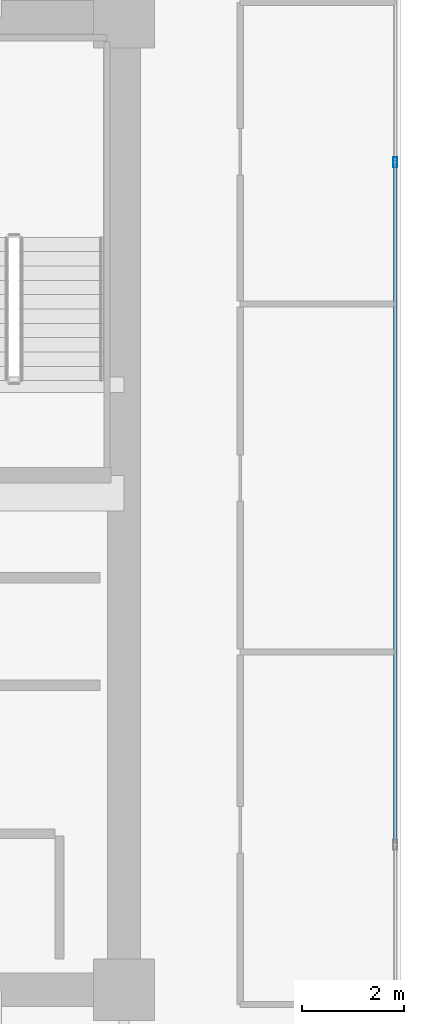
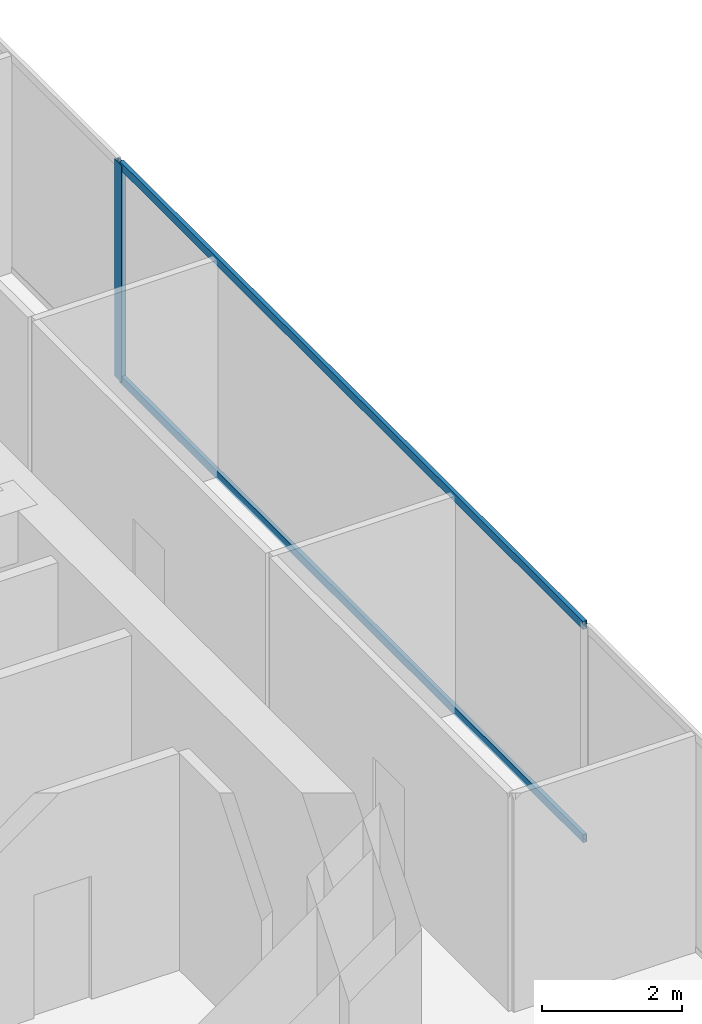
# One storey, part 22 of 31: 3 members, 1 element without a shape of its own.
"""IFC4 building model written with IfcOpenShell, lengths in metres."""

import ifcopenshell
import ifcopenshell.guid

model = None  # the IFC model being written
_history = None  # IfcOwnerHistory: only IFC2X3 demands one
_inside = {}  # id of a spatial element -> (the spatial element, [elements in it])
_under = {}  # id of a project, library or spatial element -> (it, [spatial elements below it])
_declared = {}  # id of a project -> (the project, [libraries it declares])
_typed = {}  # id of a type object -> (the type object, [elements of that type])
_made_of = {}  # id of a material, layer set ... -> (it, [elements and type objects made of it])


def new_model(schema):
    """Start an empty IFC model of exactly this schema.

    Asked for "IFC4X3", IfcOpenShell would pick the latest addendum, in which some entities
    have other attributes; the version numbers below select the first issue.
    IFC2X3 requires an IfcOwnerHistory on every rooted entity: one is made here for all.
    """
    global model, _history
    if schema == "IFC4X3":
        model = ifcopenshell.file(schema_version=(4, 3, 0, 0))
    else:
        model = ifcopenshell.file(schema=schema)
    _inside.clear()
    _under.clear()
    _declared.clear()
    _typed.clear()
    _made_of.clear()
    _history = None
    if model.schema == "IFC2X3":
        org = make("IfcOrganization", Name="unknown")
        user = make(
            "IfcPersonAndOrganization",
            ThePerson=make("IfcPerson", FamilyName="unknown"),
            TheOrganization=org,
        )
        app = make(
            "IfcApplication",
            ApplicationDeveloper=org,
            Version="unknown",
            ApplicationFullName="unknown",
            ApplicationIdentifier="unknown",
        )
        _history = make(
            "IfcOwnerHistory",
            OwningUser=user,
            OwningApplication=app,
            ChangeAction="ADDED",
            CreationDate=0,
        )
    return model


def make(cls, **values):
    """One entity of the class cls with the attributes given. An attribute that is None is left unset."""
    return model.create_entity(
        cls, **{name: value for name, value in values.items() if value is not None}
    )


def rooted(cls, **values):
    """An entity with a GlobalId (a new one), such as an element, a storey or a relation."""
    return make(cls, GlobalId=ifcopenshell.guid.new(), OwnerHistory=_history, **values)


def si_unit(unit_type, name, prefix=None):
    """IfcSIUnit, for example si_unit("LENGTHUNIT", "METRE", prefix="MILLI")."""
    return make("IfcSIUnit", UnitType=unit_type, Prefix=prefix, Name=name)


def assignment(units):
    """IfcUnitAssignment: the units of a project."""
    return None if units is None else make("IfcUnitAssignment", Units=units)


def point(xyz):
    """IfcCartesianPoint."""
    return None if xyz is None else make("IfcCartesianPoint", Coordinates=xyz)


def direction(xyz):
    """IfcDirection."""
    return None if xyz is None else make("IfcDirection", DirectionRatios=xyz)


def frame(location, z_axis=None, x_axis=None):
    """IfcAxis2Placement3D, a coordinate frame: its origin and axes. An axis left out is left unset."""
    return make(
        "IfcAxis2Placement3D",
        Location=point(location),
        Axis=direction(z_axis),
        RefDirection=direction(x_axis),
    )


def frame_2d(location, x_axis=None):
    """IfcAxis2Placement2D, a coordinate frame in the plane: its origin and x axis."""
    return make(
        "IfcAxis2Placement2D", Location=point(location), RefDirection=direction(x_axis)
    )


def origin():
    """The frame at (0, 0, 0) with its axes left unset."""
    return frame((0.0, 0.0, 0.0))


def origin_2d():
    """The frame at (0, 0) in the plane with its x axis left unset."""
    return frame_2d((0.0, 0.0))


def place(relative_to, where):
    """IfcLocalPlacement: puts the frame where relative to a parent placement (None: the world)."""
    return make(
        "IfcLocalPlacement", PlacementRelTo=relative_to, RelativePlacement=where
    )


def context(
    kind, dimensions, precision=None, world=None, true_north=None, identifier=None
):
    """IfcGeometricRepresentationContext, for example the 3D "Model" context."""
    return make(
        "IfcGeometricRepresentationContext",
        ContextIdentifier=identifier,
        ContextType=kind,
        CoordinateSpaceDimension=dimensions,
        Precision=precision,
        WorldCoordinateSystem=world,
        TrueNorth=true_north,
    )


def subcontext(parent, identifier, kind, view, scale=None):
    """IfcGeometricRepresentationSubContext, for example "Body" below "Model"."""
    return make(
        "IfcGeometricRepresentationSubContext",
        ContextIdentifier=identifier,
        ContextType=kind,
        ParentContext=parent,
        TargetScale=scale,
        TargetView=view,
    )


def project(units=None, contexts=None):
    """IfcProject with its units and contexts."""
    return rooted(
        "IfcProject",
        Name="project",
        RepresentationContexts=contexts,
        UnitsInContext=assignment(units),
    )


def spatial(cls, under=None, at=None, **own):
    """A site, building, storey or space (cls), placed at a placement, below another one or the project."""
    s = rooted(cls, ObjectPlacement=at, **own)
    if under is not None:
        _under.setdefault(under.id(), (under, []))[1].append(s)
    return s


def profile(cls, at=None, kind="AREA", **sizes):
    """A parametric profile (cls). Its sizes go by their IFC names, for example OverallWidth=200.0."""
    return make(cls, ProfileType=kind, Position=at, **sizes)


def hollow_rectangle(**sizes):
    """IfcRectangleHollowProfileDef."""
    return profile("IfcRectangleHollowProfileDef", **sizes)


def extrude(swept, where, along, depth):
    """IfcExtrudedAreaSolid: the profile swept, set in the frame where, extruded along a direction by depth."""
    return make(
        "IfcExtrudedAreaSolid",
        SweptArea=swept,
        Position=where,
        ExtrudedDirection=direction(along),
        Depth=depth,
    )


def shape(context_of_items, identifier, shape_type, items):
    """IfcShapeRepresentation: the items that make up one representation, for example the "Body"."""
    return make(
        "IfcShapeRepresentation",
        ContextOfItems=context_of_items,
        RepresentationIdentifier=identifier,
        RepresentationType=shape_type,
        Items=items,
    )


def source(mapping_origin, context_of_items, identifier, shape_type, items):
    """IfcRepresentationMap: a shape defined once, which mapped items show again and again."""
    return make(
        "IfcRepresentationMap",
        MappingOrigin=mapping_origin,
        MappedRepresentation=shape(context_of_items, identifier, shape_type, items),
    )


def transform(
    local_origin,
    x_axis=None,
    y_axis=None,
    z_axis=None,
    scale=None,
    scale2=None,
    scale3=None,
    uniform=True,
):
    """IfcCartesianTransformationOperator3D, or its non-uniform kind. x_axis, y_axis, z_axis: its Axis1, 2, 3."""
    if uniform:
        return make(
            "IfcCartesianTransformationOperator3D",
            Axis1=direction(x_axis),
            Axis2=direction(y_axis),
            LocalOrigin=point(local_origin),
            Scale=scale,
            Axis3=direction(z_axis),
        )
    return make(
        "IfcCartesianTransformationOperator3DnonUniform",
        Axis1=direction(x_axis),
        Axis2=direction(y_axis),
        LocalOrigin=point(local_origin),
        Scale=scale,
        Axis3=direction(z_axis),
        Scale2=scale2,
        Scale3=scale3,
    )


def mapped(mapping_source, mapping_target):
    """IfcMappedItem: shows the shape of a source again, moved by a transform."""
    return make(
        "IfcMappedItem", MappingSource=mapping_source, MappingTarget=mapping_target
    )


def material(Name=None, Category=None):
    """IfcMaterial."""
    return make("IfcMaterial", Name=Name, Category=Category)


def layer(
    of_material, thickness, ventilated=None, Name=None, Category=None, Priority=None
):
    """IfcMaterialLayer: one layer of a wall or slab, of a material (None: an air gap)."""
    return make(
        "IfcMaterialLayer",
        Material=of_material,
        LayerThickness=thickness,
        IsVentilated=ventilated,
        Name=Name,
        Category=Category,
        Priority=Priority,
    )


def layer_set(layers, Name=None):
    """IfcMaterialLayerSet."""
    return make("IfcMaterialLayerSet", MaterialLayers=layers, LayerSetName=Name)


def material_profile(
    of_material, cross_section, Name=None, Category=None, Priority=None
):
    """IfcMaterialProfile: a cross section and its material."""
    return make(
        "IfcMaterialProfile",
        Name=Name,
        Material=of_material,
        Profile=cross_section,
        Priority=Priority,
        Category=Category,
    )


def profile_set(profiles, Name=None, composite=None):
    """IfcMaterialProfileSet."""
    return make(
        "IfcMaterialProfileSet",
        Name=Name,
        MaterialProfiles=profiles,
        CompositeProfile=composite,
    )


def made_of(thing, what):
    """Note that an element or type object is made of a material, layer set ...; save() writes the relation."""
    if what is not None:
        _made_of.setdefault(what.id(), (what, []))[1].append(thing)
    return thing


def type_object(cls, material=None, **own):
    """A type object (cls), such as IfcWallType, which elements share."""
    return made_of(rooted(cls, **own), material)


def type_shapes(of_type, sources):
    """Give a type object the sources (RepresentationMaps) that its elements show as mapped items."""
    of_type.RepresentationMaps = sources


def element(
    cls,
    number,
    at=None,
    inside=None,
    cuts=None,
    type_object=None,
    material=None,
    context=None,
    identifier="Body",
    shape_type=None,
    held_by="IfcProductDefinitionShape",
    body=None,
    shapes=None,
    **own,
):
    """One element of the class cls, such as IfcWall. Its Tag is "e" and its number.

    at: its placement. inside: the storey or other place that contains it. cuts: it is an
    opening in that element (IfcRelVoidsElement). A single representation is given by context,
    identifier, shape_type and body (its items); several are given by shapes. held_by: the class
    of the entity that holds the representations. save() writes the other relations.
    """
    e = rooted(cls, Tag="e%d" % number, ObjectPlacement=at, **own)
    if body is not None:
        shapes = [shape(context, identifier, shape_type, body)]
    if shapes is not None:
        e.Representation = make(held_by, Representations=shapes)
    if inside is not None:
        _inside.setdefault(inside.id(), (inside, []))[1].append(e)
    if cuts is not None:
        rooted(
            "IfcRelVoidsElement", RelatingBuildingElement=cuts, RelatedOpeningElement=e
        )
    if type_object is not None:
        _typed.setdefault(type_object.id(), (type_object, []))[1].append(e)
    return made_of(e, material)


def aggregate(whole, parts):
    """IfcRelAggregates: a whole, such as a stair, and the parts it consists of."""
    return rooted("IfcRelAggregates", RelatingObject=whole, RelatedObjects=parts)


def save(model, path):
    """Write the relations noted so far, then the file.

    IfcRelAggregates (storeys below a building ...), IfcRelContainedInSpatialStructure (elements
    in a storey), IfcRelDefinesByType, IfcRelAssociatesMaterial and IfcRelDeclares: one each for
    every whole, place, type object, material and project.
    """
    for whole, parts in _under.values():
        aggregate(whole, parts)
    for where, things in _inside.values():
        rooted(
            "IfcRelContainedInSpatialStructure",
            RelatedElements=things,
            RelatingStructure=where,
        )
    for kind, things in _typed.values():
        rooted("IfcRelDefinesByType", RelatedObjects=things, RelatingType=kind)
    for what, things in _made_of.values():
        rooted("IfcRelAssociatesMaterial", RelatedObjects=things, RelatingMaterial=what)
    for by, libraries in _declared.values():
        rooted("IfcRelDeclares", RelatingContext=by, RelatedDefinitions=libraries)
    model.write(path)


model = new_model("IFC4")

# Units and contexts
model_context = context("Model", 3, precision=1e-05, world=origin(), true_north=direction((0.0, 1.0)))
body_context = subcontext(model_context, "Body", "Model", "MODEL_VIEW")
ifc_project = project(units=[si_unit("LENGTHUNIT", "METRE"), si_unit("AREAUNIT", "SQUARE_METRE"), si_unit("VOLUMEUNIT", "CUBIC_METRE"), si_unit("PLANEANGLEUNIT", "RADIAN"), si_unit("MASSUNIT", "GRAM", prefix="KILO")], contexts=[model_context])

# Site, building, storey
site_placement = place(None, origin())
site = spatial("IfcSite", under=ifc_project, at=site_placement, CompositionType="ELEMENT")
building_placement = place(site_placement, origin())
building = spatial("IfcBuilding", under=site, at=building_placement, Name="Haelvirn Gate Laboratories", CompositionType="ELEMENT")
storey_placement = place(building_placement, frame((0.0, 0.0, 150.199951171875)))
storey = spatial("IfcBuildingStorey", under=building, at=storey_placement, Name="L36", CompositionType="ELEMENT", Elevation=150.199951171875)

# Curtain wall, members
ifc_material_1 = material(Name="Anodised bronze unitised aluminium & triple low-E glass", Category="aluminium")
ifc_layer = layer(ifc_material_1, 0.179931640625, Name="CW-SYS-3")
ifc_layer_set = layer_set([ifc_layer], Name="Anodised bronze unitised aluminium & triple low-E glass")
curtain_wall_type = type_object("IfcCurtainWallType", Name="CW-SYS-3", PredefinedType="NOTDEFINED", material=ifc_layer_set)
curtain_wall_placement = place(storey_placement, origin())
curtain_wall = element("IfcCurtainWall", 1, at=curtain_wall_placement, inside=storey, type_object=curtain_wall_type, Name="L36 Unitised Curtain Wall CW-L36-P0-E07", PredefinedType="NOTDEFINED")
ifc_material_2 = material(Name="Extruded aluminium 6063-T6 (anodised bronze)", Category="aluminium")
ifc_material_profile_1 = material_profile(ifc_material_2, hollow_rectangle(XDim=0.06494140625, YDim=0.139892578125, WallThickness=0.00390625, at=origin_2d()), Name="CWT-140x65x4")
ifc_profile_set_1 = profile_set([ifc_material_profile_1], Name="Extruded aluminium 6063-T6 (anodised bronze)")
member_type_1 = type_object("IfcMemberType", Name="CWT-T140", PredefinedType="USERDEFINED", material=ifc_profile_set_1)
shared_shape_1 = source(origin(), body_context, "Body", "SweptSolid", [
    extrude(hollow_rectangle(XDim=0.06494140625, YDim=0.139892578125, WallThickness=0.00390625, at=origin_2d()), origin(), (0.0, 0.0, 1.0), 13.25830078125),
])
type_shapes(member_type_1, [shared_shape_1])
member_1_placement = place(storey_placement, frame((72.699951171875, 17.6708984375, 0.032470703125), z_axis=(0.0, 1.0, 0.0), x_axis=(-1.0, 0.0, 0.0)))
member_1 = element("IfcMember", 2, at=member_1_placement, type_object=member_type_1, Name="CW3 transom 2.1", ObjectType="TRANSOM", PredefinedType="USERDEFINED", context=body_context, shape_type="MappedRepresentation", body=[
    mapped(shared_shape_1, transform((0.0, 0.0, 0.0), scale=1.0)),
])
member_2_placement = place(storey_placement, frame((72.699951171875, 17.6708984375, 3.757568359375), z_axis=(0.0, 1.0, 0.0), x_axis=(-1.0, 0.0, 0.0)))
member_2 = element("IfcMember", 3, at=member_2_placement, type_object=member_type_1, Name="CW3 transom 2.2", ObjectType="TRANSOM", PredefinedType="USERDEFINED", context=body_context, shape_type="MappedRepresentation", body=[
    mapped(shared_shape_1, transform((0.0, 0.0, 0.0), scale=1.0)),
])
ifc_material_profile_2 = material_profile(ifc_material_2, hollow_rectangle(XDim=0.074951171875, YDim=0.199951171875, WallThickness=0.0048828125, at=origin_2d()), Name="CWM-200x75x5")
ifc_profile_set_2 = profile_set([ifc_material_profile_2], Name="Extruded aluminium 6063-T6 (anodised bronze)")
member_type_2 = type_object("IfcMemberType", Name="CWM-T200", PredefinedType="MULLION", material=ifc_profile_set_2)
shared_shape_2 = source(origin(), body_context, "Body", "SweptSolid", [
    extrude(hollow_rectangle(XDim=0.074951171875, YDim=0.199951171875, WallThickness=0.0048828125, at=origin_2d()), origin(), (0.0, 0.0, 1.0), 3.7900390625),
])
type_shapes(member_type_2, [shared_shape_2])
member_3_placement = place(storey_placement, frame((72.699951171875, 30.966552734375, 0.0), z_axis=(0.0, 0.0, 1.0), x_axis=(-1.0, 0.0, 0.0)))
member_3 = element("IfcMember", 4, at=member_3_placement, type_object=member_type_2, Name="CW3 mullion 3", PredefinedType="MULLION", context=body_context, shape_type="MappedRepresentation", body=[
    mapped(shared_shape_2, transform((0.0, 0.0, 0.0), scale=1.0)),
])
aggregate(curtain_wall, [member_3, member_1, member_2])

save(model, "model.ifc")
